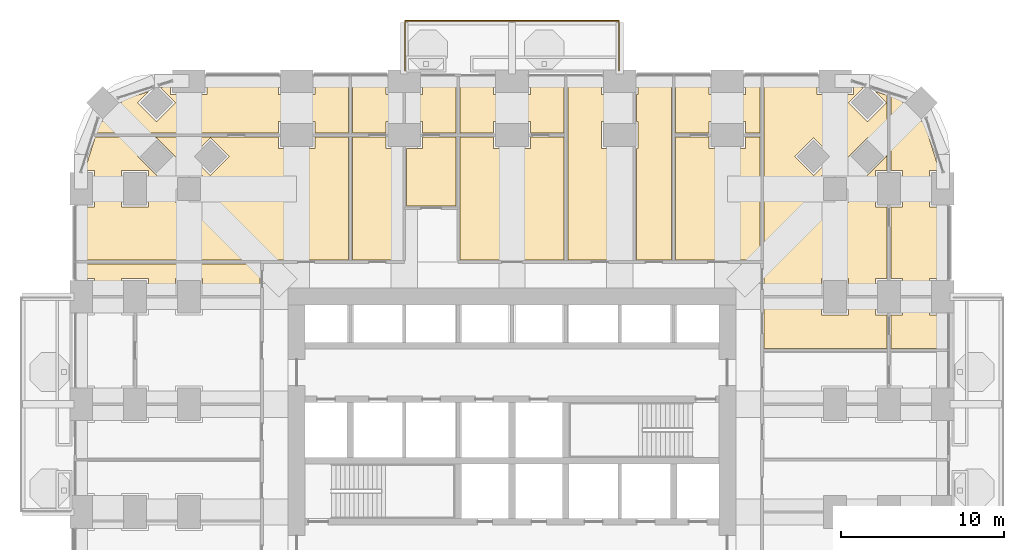
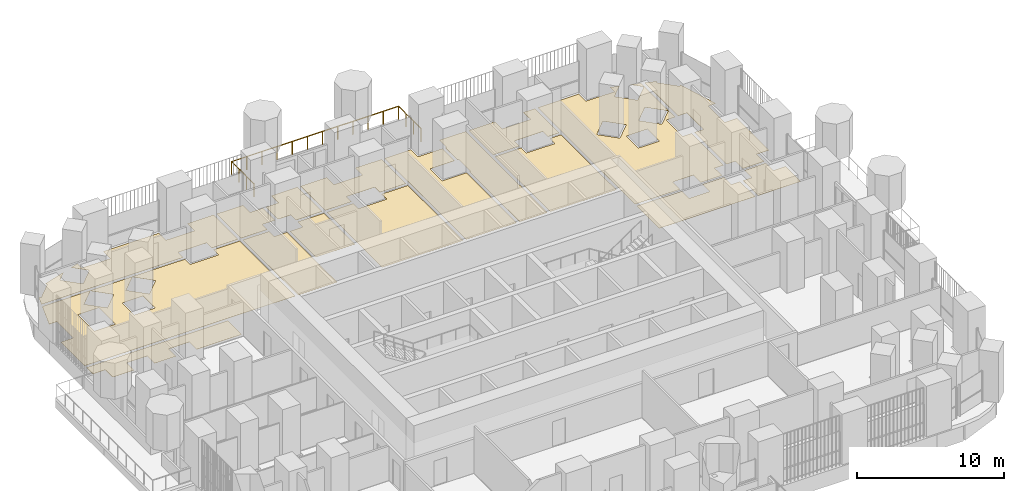
# One storey, part 24 of 25: 17 coverings, 1 railing.
"""IFC4 building model written with IfcOpenShell, lengths in metres."""

from ifc_helpers import new_model, si_unit, direction, frame, origin, place, context, subcontext, project, spatial, polyline, outline, extrude, material, layer, layer_set, type_object, element, save


model = new_model("IFC4")

# Units and contexts
model_context = context("Model", 3, precision=1e-05, world=origin(), true_north=direction((0.0, 1.0)))
body_context = subcontext(model_context, "Body", "Model", "MODEL_VIEW")
ifc_project = project(units=[si_unit("LENGTHUNIT", "METRE"), si_unit("AREAUNIT", "SQUARE_METRE"), si_unit("VOLUMEUNIT", "CUBIC_METRE"), si_unit("PLANEANGLEUNIT", "RADIAN"), si_unit("MASSUNIT", "GRAM", prefix="KILO")], contexts=[model_context])

# Site, building, storey
site_placement = place(None, origin())
site = spatial("IfcSite", under=ifc_project, at=site_placement, CompositionType="ELEMENT")
building_placement = place(site_placement, origin())
building = spatial("IfcBuilding", under=site, at=building_placement, Name="Cobogo Forest Laboratory Tower", CompositionType="ELEMENT")
storey_placement = place(building_placement, frame((0.0, 0.0, 67.5)))
storey = spatial("IfcBuildingStorey", under=building, at=storey_placement, Name="L15", CompositionType="ELEMENT", Elevation=67.5)

# Railing
ifc_material_1 = material(Name="Laminated glass balustrade", Category="glass")
railing_type = type_object("IfcRailingType", Name="BG1 glass balustrade 1100", PredefinedType="GUARDRAIL", material=ifc_material_1)
railing_placement = place(storey_placement, frame((19.85009765625, 46.85009765625, 0.0)))
element("IfcRailing", 1, at=railing_placement, inside=storey, type_object=railing_type, Name="Balcony balustrade BAL-N1 L15", PredefinedType="GUARDRAIL", context=body_context, shape_type="SweptSolid", body=[
    extrude(outline(polyline([(0.022216796875, 0.00927734375), (0.00927734375, 0.022216796875), (-0.00927734375, 0.022216796875), (-0.022216796875, 0.00927734375), (-0.022216796875, -0.00927734375), (-0.00927734375, -0.022216796875), (0.00927734375, -0.022216796875), (0.022216796875, -0.00927734375), (0.022216796875, 0.00927734375)])), frame((0.0, 0.0, 1.077880859375), z_axis=(0.0, 1.0, 0.0), x_axis=(-1.0, 0.0, 0.0)), (0.0, 0.0, 1.0), 3.0498046875),
    extrude(outline(polyline([(0.022216796875, 0.00927734375), (0.00927734375, 0.022216796875), (-0.00927734375, 0.022216796875), (-0.022216796875, 0.00927734375), (-0.022216796875, -0.00927734375), (-0.00927734375, -0.022216796875), (0.00927734375, -0.022216796875), (0.022216796875, -0.00927734375), (0.022216796875, 0.00927734375)])), frame((0.0, 3.0498046875, 1.077880859375), z_axis=(1.0, 0.0, 0.0), x_axis=(0.0, 1.0, 0.0)), (0.0, 0.0, 1.0), 13.099853515625),
    extrude(outline(polyline([(0.022216796875, 0.00927734375), (0.00927734375, 0.022216796875), (-0.00927734375, 0.022216796875), (-0.022216796875, 0.00927734375), (-0.022216796875, -0.00927734375), (-0.00927734375, -0.022216796875), (0.00927734375, -0.022216796875), (0.022216796875, -0.00927734375), (0.022216796875, 0.00927734375)])), frame((13.099853515625, 3.0498046875, 1.077880859375), z_axis=(0.0, -1.0, 0.0), x_axis=(1.0, 0.0, 0.0)), (0.0, 0.0, 1.0), 3.0498046875),
    extrude(outline(polyline([(0.019287109375, 0.008056640625), (0.008056640625, 0.019287109375), (-0.008056640625, 0.019287109375), (-0.019287109375, 0.008056640625), (-0.019287109375, -0.008056640625), (-0.008056640625, -0.019287109375), (0.008056640625, -0.019287109375), (0.019287109375, -0.008056640625), (0.019287109375, 0.008056640625)])), origin(), (0.0, 0.0, 1.0), 1.077880859375),
    extrude(outline(polyline([(0.019287109375, 0.008056640625), (0.008056640625, 0.019287109375), (-0.008056640625, 0.019287109375), (-0.019287109375, 0.008056640625), (-0.019287109375, -0.008056640625), (-0.008056640625, -0.019287109375), (0.008056640625, -0.019287109375), (0.019287109375, -0.008056640625), (0.019287109375, 0.008056640625)])), frame((0.0, 1.0166015625, 0.0)), (0.0, 0.0, 1.0), 1.077880859375),
    extrude(outline(polyline([(0.019287109375, 0.008056640625), (0.008056640625, 0.019287109375), (-0.008056640625, 0.019287109375), (-0.019287109375, 0.008056640625), (-0.019287109375, -0.008056640625), (-0.008056640625, -0.019287109375), (0.008056640625, -0.019287109375), (0.019287109375, -0.008056640625), (0.019287109375, 0.008056640625)])), frame((0.0, 2.033203125, 0.0)), (0.0, 0.0, 1.0), 1.077880859375),
    extrude(outline(polyline([(0.019287109375, 0.008056640625), (0.008056640625, 0.019287109375), (-0.008056640625, 0.019287109375), (-0.019287109375, 0.008056640625), (-0.019287109375, -0.008056640625), (-0.008056640625, -0.019287109375), (0.008056640625, -0.019287109375), (0.019287109375, -0.008056640625), (0.019287109375, 0.008056640625)])), frame((0.0, 3.0498046875, 0.0)), (0.0, 0.0, 1.0), 1.077880859375),
    extrude(outline(polyline([(0.019287109375, 0.008056640625), (0.008056640625, 0.019287109375), (-0.008056640625, 0.019287109375), (-0.019287109375, 0.008056640625), (-0.019287109375, -0.008056640625), (-0.008056640625, -0.019287109375), (0.008056640625, -0.019287109375), (0.019287109375, -0.008056640625), (0.019287109375, 0.008056640625)])), frame((1.19091796875, 3.0498046875, 0.0)), (0.0, 0.0, 1.0), 1.077880859375),
    extrude(outline(polyline([(0.019287109375, 0.008056640625), (0.008056640625, 0.019287109375), (-0.008056640625, 0.019287109375), (-0.019287109375, 0.008056640625), (-0.019287109375, -0.008056640625), (-0.008056640625, -0.019287109375), (0.008056640625, -0.019287109375), (0.019287109375, -0.008056640625), (0.019287109375, 0.008056640625)])), frame((2.3818359375, 3.0498046875, 0.0)), (0.0, 0.0, 1.0), 1.077880859375),
    extrude(outline(polyline([(0.019287109375, 0.008056640625), (0.008056640625, 0.019287109375), (-0.008056640625, 0.019287109375), (-0.019287109375, 0.008056640625), (-0.019287109375, -0.008056640625), (-0.008056640625, -0.019287109375), (0.008056640625, -0.019287109375), (0.019287109375, -0.008056640625), (0.019287109375, 0.008056640625)])), frame((3.57275390625, 3.0498046875, 0.0)), (0.0, 0.0, 1.0), 1.077880859375),
    extrude(outline(polyline([(0.019287109375, 0.008056640625), (0.008056640625, 0.019287109375), (-0.008056640625, 0.019287109375), (-0.019287109375, 0.008056640625), (-0.019287109375, -0.008056640625), (-0.008056640625, -0.019287109375), (0.008056640625, -0.019287109375), (0.019287109375, -0.008056640625), (0.019287109375, 0.008056640625)])), frame((4.763671875, 3.0498046875, 0.0)), (0.0, 0.0, 1.0), 1.077880859375),
    extrude(outline(polyline([(0.019287109375, 0.008056640625), (0.008056640625, 0.019287109375), (-0.008056640625, 0.019287109375), (-0.019287109375, 0.008056640625), (-0.019287109375, -0.008056640625), (-0.008056640625, -0.019287109375), (0.008056640625, -0.019287109375), (0.019287109375, -0.008056640625), (0.019287109375, 0.008056640625)])), frame((5.95458984375, 3.0498046875, 0.0)), (0.0, 0.0, 1.0), 1.077880859375),
    extrude(outline(polyline([(0.019287109375, 0.008056640625), (0.008056640625, 0.019287109375), (-0.008056640625, 0.019287109375), (-0.019287109375, 0.008056640625), (-0.019287109375, -0.008056640625), (-0.008056640625, -0.019287109375), (0.008056640625, -0.019287109375), (0.019287109375, -0.008056640625), (0.019287109375, 0.008056640625)])), frame((7.145263671875, 3.0498046875, 0.0)), (0.0, 0.0, 1.0), 1.077880859375),
    extrude(outline(polyline([(0.019287109375, 0.008056640625), (0.008056640625, 0.019287109375), (-0.008056640625, 0.019287109375), (-0.019287109375, 0.008056640625), (-0.019287109375, -0.008056640625), (-0.008056640625, -0.019287109375), (0.008056640625, -0.019287109375), (0.019287109375, -0.008056640625), (0.019287109375, 0.008056640625)])), frame((8.336181640625, 3.0498046875, 0.0)), (0.0, 0.0, 1.0), 1.077880859375),
    extrude(outline(polyline([(0.019287109375, 0.008056640625), (0.008056640625, 0.019287109375), (-0.008056640625, 0.019287109375), (-0.019287109375, 0.008056640625), (-0.019287109375, -0.008056640625), (-0.008056640625, -0.019287109375), (0.008056640625, -0.019287109375), (0.019287109375, -0.008056640625), (0.019287109375, 0.008056640625)])), frame((9.527099609375, 3.0498046875, 0.0)), (0.0, 0.0, 1.0), 1.077880859375),
    extrude(outline(polyline([(0.019287109375, 0.008056640625), (0.008056640625, 0.019287109375), (-0.008056640625, 0.019287109375), (-0.019287109375, 0.008056640625), (-0.019287109375, -0.008056640625), (-0.008056640625, -0.019287109375), (0.008056640625, -0.019287109375), (0.019287109375, -0.008056640625), (0.019287109375, 0.008056640625)])), frame((10.718017578125, 3.0498046875, 0.0)), (0.0, 0.0, 1.0), 1.077880859375),
    extrude(outline(polyline([(0.019287109375, 0.008056640625), (0.008056640625, 0.019287109375), (-0.008056640625, 0.019287109375), (-0.019287109375, 0.008056640625), (-0.019287109375, -0.008056640625), (-0.008056640625, -0.019287109375), (0.008056640625, -0.019287109375), (0.019287109375, -0.008056640625), (0.019287109375, 0.008056640625)])), frame((11.908935546875, 3.0498046875, 0.0)), (0.0, 0.0, 1.0), 1.077880859375),
    extrude(outline(polyline([(0.019287109375, 0.008056640625), (0.008056640625, 0.019287109375), (-0.008056640625, 0.019287109375), (-0.019287109375, 0.008056640625), (-0.019287109375, -0.008056640625), (-0.008056640625, -0.019287109375), (0.008056640625, -0.019287109375), (0.019287109375, -0.008056640625), (0.019287109375, 0.008056640625)])), frame((13.099853515625, 3.0498046875, 0.0)), (0.0, 0.0, 1.0), 1.077880859375),
    extrude(outline(polyline([(0.019287109375, 0.008056640625), (0.008056640625, 0.019287109375), (-0.008056640625, 0.019287109375), (-0.019287109375, 0.008056640625), (-0.019287109375, -0.008056640625), (-0.008056640625, -0.019287109375), (0.008056640625, -0.019287109375), (0.019287109375, -0.008056640625), (0.019287109375, 0.008056640625)])), frame((13.099853515625, 2.033203125, 0.0)), (0.0, 0.0, 1.0), 1.077880859375),
    extrude(outline(polyline([(0.019287109375, 0.008056640625), (0.008056640625, 0.019287109375), (-0.008056640625, 0.019287109375), (-0.019287109375, 0.008056640625), (-0.019287109375, -0.008056640625), (-0.008056640625, -0.019287109375), (0.008056640625, -0.019287109375), (0.019287109375, -0.008056640625), (0.019287109375, 0.008056640625)])), frame((13.099853515625, 1.0166015625, 0.0)), (0.0, 0.0, 1.0), 1.077880859375),
    extrude(outline(polyline([(0.019287109375, 0.008056640625), (0.008056640625, 0.019287109375), (-0.008056640625, 0.019287109375), (-0.019287109375, 0.008056640625), (-0.019287109375, -0.008056640625), (-0.008056640625, -0.019287109375), (0.008056640625, -0.019287109375), (0.019287109375, -0.008056640625), (0.019287109375, 0.008056640625)])), frame((13.099853515625, 0.0, 0.0)), (0.0, 0.0, 1.0), 1.077880859375),
])

# Coverings
ifc_material_2 = material(Name="Carpet tile on raised access floor", Category="flooring")
ifc_layer_1 = layer(ifc_material_2, 0.008056640625)
ifc_layer_set_1 = layer_set([ifc_layer_1], Name="CT1 carpet tile floor 8")
covering_type_1 = type_object("IfcCoveringType", Name="CT1 carpet tile floor 8", PredefinedType="FLOORING", material=ifc_layer_set_1)
covering_1_placement = place(storey_placement, origin())
element("IfcCovering", 2, at=covering_1_placement, inside=storey, type_object=covering_type_1, Name="Carpet floor L15-16", PredefinedType="FLOORING", context=body_context, shape_type="SweptSolid", body=[
    extrude(outline(polyline([(49.6201171875, 31.8798828125), (50.320068359375, 31.8798828125), (50.320068359375, 32.8798828125), (51.97998046875, 32.8798828125), (51.97998046875, 31.8798828125), (52.949951171875, 31.8798828125), (52.949951171875, 29.820068359375), (49.6201171875, 29.820068359375), (49.6201171875, 31.8798828125)])), origin(), (0.0, 0.0, 1.0), 0.008056640625),
])
covering_2_placement = place(storey_placement, origin())
element("IfcCovering", 3, at=covering_2_placement, inside=storey, type_object=covering_type_1, Name="Carpet floor L15-18", PredefinedType="FLOORING", context=body_context, shape_type="SweptSolid", body=[
    extrude(outline(polyline([(49.6201171875, 38.47998046875), (50.320068359375, 38.47998046875), (50.320068359375, 40.719970703125), (49.6201171875, 40.719970703125), (49.6201171875, 45.26025390625), (50.441162109375, 45.0009765625), (50.322265625, 44.882080078125), (51.48193359375, 43.722412109375), (51.600830078125, 43.84130859375), (52.586669921875, 40.719970703125), (51.97998046875, 40.719970703125), (51.97998046875, 38.47998046875), (52.949951171875, 38.47998046875), (52.949951171875, 34.1201171875), (51.97998046875, 34.1201171875), (51.97998046875, 33.1201171875), (50.320068359375, 33.1201171875), (50.320068359375, 34.1201171875), (49.6201171875, 34.1201171875), (49.6201171875, 38.47998046875)])), origin(), (0.0, 0.0, 1.0), 0.008056640625),
])
covering_3_placement = place(storey_placement, origin())
element("IfcCovering", 4, at=covering_3_placement, inside=storey, type_object=covering_type_1, Name="Carpet floor L15-19", PredefinedType="FLOORING", context=body_context, shape_type="SweptSolid", body=[
    extrude(outline(polyline([(16.3798828125, 35.2451171875), (-0.14990234375, 35.2451171875), (-0.14990234375, 38.47998046875), (0.820068359375, 38.47998046875), (0.820068359375, 40.719970703125), (0.21337890625, 40.719970703125), (0.864013671875, 42.780029296875), (12.080078125, 42.780029296875), (12.080078125, 42.080078125), (14.320068359375, 42.080078125), (14.320068359375, 42.780029296875), (16.3798828125, 42.780029296875), (16.3798828125, 35.2451171875)]), holes=[polyline([(6.75830078125, 41.58203125), (7.91796875, 40.42236328125), (9.07763671875, 41.58203125), (7.91796875, 42.74169921875), (6.75830078125, 41.58203125)]), polyline([(5.780029296875, 40.419921875), (5.780029296875, 38.780029296875), (7.419921875, 38.780029296875), (7.419921875, 40.419921875), (5.780029296875, 40.419921875)]), polyline([(3.458251953125, 41.58203125), (4.617919921875, 40.42236328125), (5.777587890625, 41.58203125), (4.617919921875, 42.74169921875), (3.458251953125, 41.58203125)]), polyline([(2.47998046875, 38.47998046875), (4.1201171875, 38.47998046875), (4.1201171875, 40.719970703125), (2.47998046875, 40.719970703125), (2.47998046875, 38.47998046875)])]), origin(), (0.0, 0.0, 1.0), 0.008056640625),
])
covering_4_placement = place(storey_placement, origin())
element("IfcCovering", 5, at=covering_4_placement, inside=storey, type_object=covering_type_1, Name="Carpet floor L15-20", PredefinedType="FLOORING", context=body_context, shape_type="SweptSolid", body=[
    extrude(outline(polyline([(14.320068359375, 43.02001953125), (14.320068359375, 43.719970703125), (12.080078125, 43.719970703125), (12.080078125, 43.02001953125), (0.939697265625, 43.02001953125), (1.19921875, 43.84130859375), (1.318115234375, 43.722412109375), (2.477783203125, 44.882080078125), (2.358642578125, 45.0009765625), (4.1396484375, 45.563232421875), (3.458251953125, 44.882080078125), (4.617919921875, 43.722412109375), (5.777587890625, 44.882080078125), (4.86669921875, 45.79296875), (5.47998046875, 45.986572265625), (5.47998046875, 45.3798828125), (7.719970703125, 45.3798828125), (7.719970703125, 46.35009765625), (12.080078125, 46.35009765625), (12.080078125, 45.3798828125), (14.320068359375, 45.3798828125), (14.320068359375, 46.35009765625), (16.3798828125, 46.35009765625), (16.3798828125, 43.02001953125), (14.320068359375, 43.02001953125)])), origin(), (0.0, 0.0, 1.0), 0.008056640625),
])
covering_5_placement = place(storey_placement, origin())
element("IfcCovering", 6, at=covering_5_placement, inside=storey, type_object=covering_type_1, Name="Carpet floor L15-21", PredefinedType="FLOORING", context=body_context, shape_type="SweptSolid", body=[
    extrude(outline(polyline([(16.6201171875, 42.780029296875), (18.679931640625, 42.780029296875), (18.679931640625, 42.080078125), (19.679931640625, 42.080078125), (19.679931640625, 35.2451171875), (16.6201171875, 35.2451171875), (16.6201171875, 42.780029296875)])), origin(), (0.0, 0.0, 1.0), 0.008056640625),
])
covering_6_placement = place(storey_placement, origin())
element("IfcCovering", 7, at=covering_6_placement, inside=storey, type_object=covering_type_1, Name="Carpet floor L15-22", PredefinedType="FLOORING", context=body_context, shape_type="SweptSolid", body=[
    extrude(outline(polyline([(16.6201171875, 43.02001953125), (16.6201171875, 46.35009765625), (18.679931640625, 46.35009765625), (18.679931640625, 45.3798828125), (19.679931640625, 45.3798828125), (19.679931640625, 43.719970703125), (18.679931640625, 43.719970703125), (18.679931640625, 43.02001953125), (16.6201171875, 43.02001953125)])), origin(), (0.0, 0.0, 1.0), 0.008056640625),
])
covering_7_placement = place(storey_placement, origin())
element("IfcCovering", 8, at=covering_7_placement, inside=storey, type_object=covering_type_1, Name="Carpet floor L15-24", PredefinedType="FLOORING", context=body_context, shape_type="SweptSolid", body=[
    extrude(outline(polyline([(20.919921875, 43.02001953125), (20.919921875, 43.719970703125), (19.919921875, 43.719970703125), (19.919921875, 45.3798828125), (20.919921875, 45.3798828125), (20.919921875, 46.35009765625), (22.97998046875, 46.35009765625), (22.97998046875, 43.02001953125), (20.919921875, 43.02001953125)])), origin(), (0.0, 0.0, 1.0), 0.008056640625),
])
covering_8_placement = place(storey_placement, origin())
element("IfcCovering", 9, at=covering_8_placement, inside=storey, type_object=covering_type_1, Name="Carpet floor L15-26", PredefinedType="FLOORING", context=body_context, shape_type="SweptSolid", body=[
    extrude(outline(polyline([(27.52001953125, 43.02001953125), (27.52001953125, 43.719970703125), (25.280029296875, 43.719970703125), (25.280029296875, 43.02001953125), (23.219970703125, 43.02001953125), (23.219970703125, 46.35009765625), (25.280029296875, 46.35009765625), (25.280029296875, 45.3798828125), (27.52001953125, 45.3798828125), (27.52001953125, 46.35009765625), (29.580078125, 46.35009765625), (29.580078125, 43.02001953125), (27.52001953125, 43.02001953125)])), origin(), (0.0, 0.0, 1.0), 0.008056640625),
])
covering_9_placement = place(storey_placement, origin())
element("IfcCovering", 10, at=covering_9_placement, inside=storey, type_object=covering_type_1, Name="Carpet floor L15-27", PredefinedType="FLOORING", context=body_context, shape_type="SweptSolid", body=[
    extrude(outline(polyline([(29.820068359375, 35.2451171875), (29.820068359375, 46.35009765625), (31.8798828125, 46.35009765625), (31.8798828125, 45.3798828125), (33.780029296875, 45.3798828125), (33.780029296875, 43.719970703125), (31.8798828125, 43.719970703125), (31.8798828125, 42.080078125), (33.780029296875, 42.080078125), (33.780029296875, 35.2451171875), (29.820068359375, 35.2451171875)])), origin(), (0.0, 0.0, 1.0), 0.008056640625),
])
covering_10_placement = place(storey_placement, origin())
element("IfcCovering", 11, at=covering_10_placement, inside=storey, type_object=covering_type_1, Name="Carpet floor L15-30", PredefinedType="FLOORING", context=body_context, shape_type="SweptSolid", body=[
    extrude(outline(polyline([(40.719970703125, 43.02001953125), (40.719970703125, 43.719970703125), (38.47998046875, 43.719970703125), (38.47998046875, 43.02001953125), (36.419921875, 43.02001953125), (36.419921875, 46.35009765625), (38.47998046875, 46.35009765625), (38.47998046875, 45.3798828125), (40.719970703125, 45.3798828125), (40.719970703125, 46.35009765625), (41.60498046875, 46.35009765625), (41.60498046875, 43.02001953125), (40.719970703125, 43.02001953125)])), origin(), (0.0, 0.0, 1.0), 0.008056640625),
])
covering_11_placement = place(storey_placement, origin())
element("IfcCovering", 12, at=covering_11_placement, inside=storey, type_object=covering_type_1, Name="Carpet floor L15-39", PredefinedType="FLOORING", context=body_context, shape_type="SweptSolid", body=[
    extrude(outline(polyline([(10.955078125, 33.1201171875), (7.419921875, 33.1201171875), (7.419921875, 34.1201171875), (5.780029296875, 34.1201171875), (5.780029296875, 33.1201171875), (4.1201171875, 33.1201171875), (4.1201171875, 34.1201171875), (2.47998046875, 34.1201171875), (2.47998046875, 33.1201171875), (0.820068359375, 33.1201171875), (0.820068359375, 34.1201171875), (-0.14990234375, 34.1201171875), (-0.14990234375, 35.0048828125), (10.955078125, 35.0048828125), (10.955078125, 33.1201171875)])), origin(), (0.0, 0.0, 1.0), 0.008056640625),
])
ifc_material_3 = material(Name="Epoxy resin flooring", Category="flooring")
ifc_layer_2 = layer(ifc_material_3, 0.00390625)
ifc_layer_set_2 = layer_set([ifc_layer_2], Name="LF1 epoxy laboratory floor 4")
covering_type_2 = type_object("IfcCoveringType", Name="LF1 epoxy laboratory floor 4", PredefinedType="FLOORING", material=ifc_layer_set_2)
covering_12_placement = place(storey_placement, origin())
element("IfcCovering", 13, at=covering_12_placement, inside=storey, type_object=covering_type_2, Name="Epoxy laboratory floor L15-15", PredefinedType="FLOORING", context=body_context, shape_type="SweptSolid", body=[
    extrude(outline(polyline([(41.844970703125, 32.8798828125), (45.3798828125, 32.8798828125), (45.3798828125, 31.8798828125), (47.02001953125, 31.8798828125), (47.02001953125, 32.8798828125), (48.679931640625, 32.8798828125), (48.679931640625, 31.8798828125), (49.3798828125, 31.8798828125), (49.3798828125, 29.820068359375), (41.844970703125, 29.820068359375), (41.844970703125, 32.8798828125)])), origin(), (0.0, 0.0, 1.0), 0.00390625),
])
covering_13_placement = place(storey_placement, origin())
element("IfcCovering", 14, at=covering_13_placement, inside=storey, type_object=covering_type_2, Name="Epoxy laboratory floor L15-17", PredefinedType="FLOORING", context=body_context, shape_type="SweptSolid", body=[
    extrude(outline(polyline([(47.02001953125, 33.1201171875), (47.02001953125, 34.1201171875), (45.3798828125, 34.1201171875), (45.3798828125, 33.1201171875), (41.844970703125, 33.1201171875), (41.844970703125, 46.35009765625), (45.080078125, 46.35009765625), (45.080078125, 45.3798828125), (47.320068359375, 45.3798828125), (47.320068359375, 45.986572265625), (47.933349609375, 45.79296875), (47.022216796875, 44.882080078125), (48.181884765625, 43.722412109375), (49.341552734375, 44.882080078125), (48.660400390625, 45.563232421875), (49.3798828125, 45.3359375), (49.3798828125, 40.719970703125), (48.679931640625, 40.719970703125), (48.679931640625, 38.47998046875), (49.3798828125, 38.47998046875), (49.3798828125, 34.1201171875), (48.679931640625, 34.1201171875), (48.679931640625, 33.1201171875), (47.02001953125, 33.1201171875)]), holes=[polyline([(47.022216796875, 41.58203125), (48.181884765625, 40.42236328125), (49.341552734375, 41.58203125), (48.181884765625, 42.74169921875), (47.022216796875, 41.58203125)]), polyline([(47.02001953125, 40.419921875), (45.3798828125, 40.419921875), (45.3798828125, 38.780029296875), (47.02001953125, 38.780029296875), (47.02001953125, 40.419921875)]), polyline([(43.722412109375, 41.58203125), (44.882080078125, 40.42236328125), (46.041748046875, 41.58203125), (44.882080078125, 42.74169921875), (43.722412109375, 41.58203125)])]), origin(), (0.0, 0.0, 1.0), 0.00390625),
])
covering_14_placement = place(storey_placement, origin())
element("IfcCovering", 15, at=covering_14_placement, inside=storey, type_object=covering_type_2, Name="Epoxy laboratory floor L15-23", PredefinedType="FLOORING", context=body_context, shape_type="SweptSolid", body=[
    extrude(outline(polyline([(19.919921875, 42.080078125), (20.919921875, 42.080078125), (20.919921875, 42.780029296875), (22.97998046875, 42.780029296875), (22.97998046875, 38.544921875), (19.919921875, 38.544921875), (19.919921875, 42.080078125)])), origin(), (0.0, 0.0, 1.0), 0.00390625),
])
covering_15_placement = place(storey_placement, origin())
element("IfcCovering", 16, at=covering_15_placement, inside=storey, type_object=covering_type_2, Name="Epoxy laboratory floor L15-25", PredefinedType="FLOORING", context=body_context, shape_type="SweptSolid", body=[
    extrude(outline(polyline([(23.219970703125, 42.780029296875), (25.280029296875, 42.780029296875), (25.280029296875, 42.080078125), (27.52001953125, 42.080078125), (27.52001953125, 42.780029296875), (29.580078125, 42.780029296875), (29.580078125, 35.2451171875), (23.219970703125, 35.2451171875), (23.219970703125, 42.780029296875)])), origin(), (0.0, 0.0, 1.0), 0.00390625),
])
covering_16_placement = place(storey_placement, origin())
element("IfcCovering", 17, at=covering_16_placement, inside=storey, type_object=covering_type_2, Name="Epoxy laboratory floor L15-29", PredefinedType="FLOORING", context=body_context, shape_type="SweptSolid", body=[
    extrude(outline(polyline([(36.419921875, 42.780029296875), (38.47998046875, 42.780029296875), (38.47998046875, 42.080078125), (40.719970703125, 42.080078125), (40.719970703125, 42.780029296875), (41.60498046875, 42.780029296875), (41.60498046875, 35.2451171875), (36.419921875, 35.2451171875), (36.419921875, 42.780029296875)])), origin(), (0.0, 0.0, 1.0), 0.00390625),
])
ifc_material_4 = material(Name="Ceramic floor tile", Category="flooring")
ifc_layer_3 = layer(ifc_material_4, 0.010009765625)
ifc_layer_set_3 = layer_set([ifc_layer_3], Name="TF1 ceramic tile floor 10")
covering_type_3 = type_object("IfcCoveringType", Name="TF1 ceramic tile floor 10", PredefinedType="FLOORING", material=ifc_layer_set_3)
covering_17_placement = place(storey_placement, origin())
element("IfcCovering", 18, at=covering_17_placement, inside=storey, type_object=covering_type_3, Name="Tile floor L15-28", PredefinedType="FLOORING", context=body_context, shape_type="SweptSolid", body=[
    extrude(outline(polyline([(34.02001953125, 35.2451171875), (34.02001953125, 42.080078125), (34.1201171875, 42.080078125), (34.1201171875, 43.719970703125), (34.02001953125, 43.719970703125), (34.02001953125, 45.3798828125), (34.1201171875, 45.3798828125), (34.1201171875, 46.35009765625), (36.179931640625, 46.35009765625), (36.179931640625, 35.2451171875), (34.02001953125, 35.2451171875)])), origin(), (0.0, 0.0, 1.0), 0.010009765625),
])

save(model, "model.ifc")
